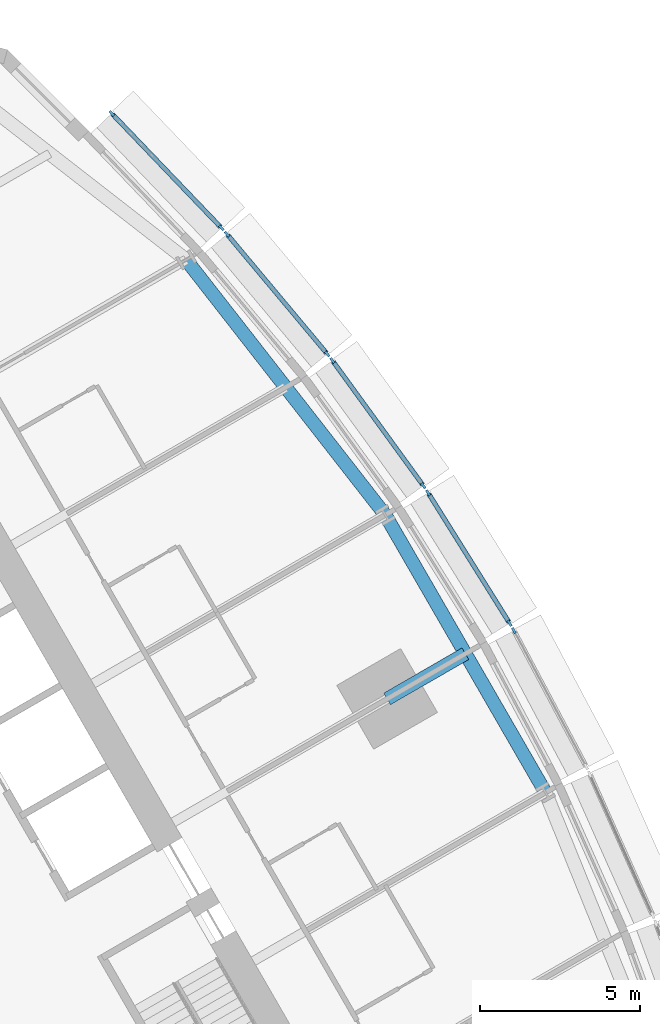
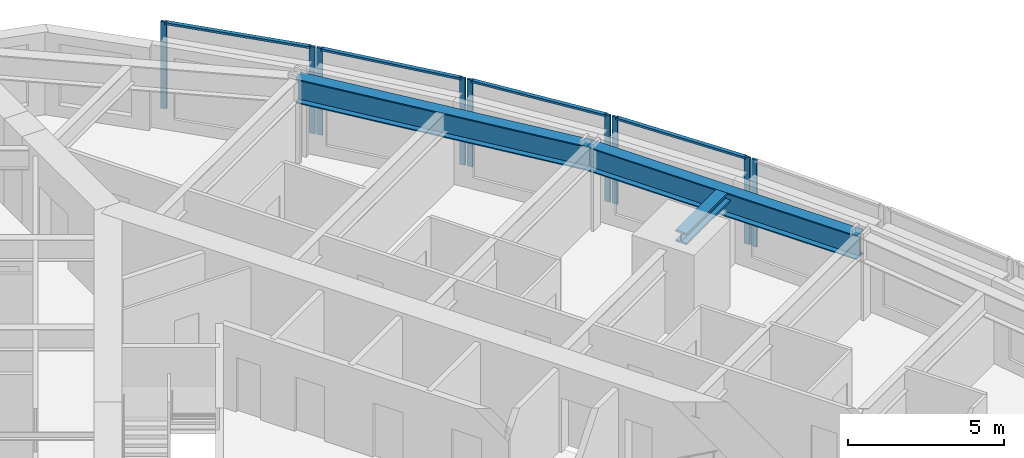
# One storey, part 5 of 14: 13 members, 3 beams, 5 elements without a shape of their own.
"""IFC4 building model written with IfcOpenShell, lengths in metres."""

from ifc_helpers import new_model, si_unit, direction, frame, origin, origin_2d, place, context, subcontext, project, spatial, rectangle, i_section, extrude, material, material_profile, profile_set, type_object, element, aggregate, save


model = new_model("IFC4")

# Units and contexts
model_context = context("Model", 3, precision=1e-05, world=origin(), true_north=direction((0.0, 1.0)))
body_context = subcontext(model_context, "Body", "Model", "MODEL_VIEW")
ifc_project = project(units=[si_unit("LENGTHUNIT", "METRE"), si_unit("AREAUNIT", "SQUARE_METRE"), si_unit("VOLUMEUNIT", "CUBIC_METRE"), si_unit("PLANEANGLEUNIT", "RADIAN"), si_unit("MASSUNIT", "GRAM", prefix="KILO")], contexts=[model_context])

# Site, building, storey
site_placement = place(None, origin())
site = spatial("IfcSite", under=ifc_project, at=site_placement, CompositionType="ELEMENT")
building_placement = place(site_placement, origin())
building = spatial("IfcBuilding", under=site, at=building_placement, Name="Trikona Tower", CompositionType="ELEMENT")
storey_placement = place(building_placement, frame((0.0, 0.0, 141.89990234375)))
storey = spatial("IfcBuildingStorey", under=building, at=storey_placement, Name="L37", CompositionType="ELEMENT", Elevation=141.89990234375)

# Curtain wall, member
ifc_material_1 = material(Name="Aluminium curtain wall system", Category="aluminium")
curtain_wall_type = type_object("IfcCurtainWallType", Name="Curtain wall DS2", PredefinedType="NOTDEFINED", material=ifc_material_1)
curtain_wall_1_placement = place(storey_placement, origin())
curtain_wall_1 = element("IfcCurtainWall", 1, at=curtain_wall_1_placement, inside=storey, type_object=curtain_wall_type, Name="Curtain wall DS2 L37", PredefinedType="NOTDEFINED")
ifc_material_2 = material(Name="Aluminium mullion, pale anodised", Category="aluminium")
ifc_material_profile_1 = material_profile(ifc_material_2, rectangle(XDim=0.080078125, YDim=0.199951171875, at=origin_2d()), Name="MUL-DS2")
ifc_profile_set_1 = profile_set([ifc_material_profile_1], Name="Aluminium mullion, pale anodised")
member_type_1 = type_object("IfcMemberType", Name="Mullion DS2 80x200", PredefinedType="MULLION", material=ifc_profile_set_1)
member_1_placement = place(storey_placement, frame((19.2666015625, 10.9716796875, 0.0), z_axis=(0.0, 0.0, 1.0), x_axis=(-0.882996107343, -0.469380308937, 0.0)))
member_1 = element("IfcMember", 2, at=member_1_placement, type_object=member_type_1, Name="CW-DS2 mullion 2", PredefinedType="MULLION", context=body_context, shape_type="SweptSolid", body=[
    extrude(rectangle(XDim=0.080078125, YDim=0.199951171875, at=origin_2d()), origin(), (0.0, 0.0, 1.0), 3.400146484375),
])
aggregate(curtain_wall_1, [member_1])

# Curtain wall, members
curtain_wall_2_placement = place(storey_placement, origin())
curtain_wall_2 = element("IfcCurtainWall", 3, at=curtain_wall_2_placement, inside=storey, type_object=curtain_wall_type, Name="Curtain wall DS2 L37", PredefinedType="NOTDEFINED")
member_2_placement = place(storey_placement, frame((19.135009765625, 11.199462890625, 0.0), z_axis=(0.0, 0.0, 1.0), x_axis=(-0.847998304006, -0.529998940002, 0.0)))
member_2 = element("IfcMember", 4, at=member_2_placement, type_object=member_type_1, Name="CW-DS2 mullion 1", PredefinedType="MULLION", context=body_context, shape_type="SweptSolid", body=[
    extrude(rectangle(XDim=0.080078125, YDim=0.199951171875, at=origin_2d()), origin(), (0.0, 0.0, 1.0), 3.400146484375),
])
member_3_placement = place(storey_placement, frame((16.589599609375, 15.2724609375, 0.0), z_axis=(0.0, 0.0, 1.0), x_axis=(-0.847998304006, -0.529998940002, 0.0)))
member_3 = element("IfcMember", 5, at=member_3_placement, type_object=member_type_1, Name="CW-DS2 mullion 2", PredefinedType="MULLION", context=body_context, shape_type="SweptSolid", body=[
    extrude(rectangle(XDim=0.080078125, YDim=0.199951171875, at=origin_2d()), origin(), (0.0, 0.0, 1.0), 3.400146484375),
])

curtain_wall_3_placement = place(storey_placement, origin())
curtain_wall_3 = element("IfcCurtainWall", 6, at=curtain_wall_3_placement, inside=storey, type_object=curtain_wall_type, Name="Curtain wall DS2 L37", PredefinedType="NOTDEFINED")
member_4_placement = place(storey_placement, frame((16.442626953125, 15.489990234375, 0.0), z_axis=(0.0, 0.0, 1.0), x_axis=(-0.80908576332, -0.587690588313, 0.0)))
member_4 = element("IfcMember", 7, at=member_4_placement, type_object=member_type_1, Name="CW-DS2 mullion 1", PredefinedType="MULLION", context=body_context, shape_type="SweptSolid", body=[
    extrude(rectangle(XDim=0.080078125, YDim=0.199951171875, at=origin_2d()), origin(), (0.0, 0.0, 1.0), 3.400146484375),
])
member_5_placement = place(storey_placement, frame((13.605712890625, 19.39599609375, 0.0), z_axis=(0.0, 0.0, 1.0), x_axis=(-0.80908576332, -0.587690588313, 0.0)))
member_5 = element("IfcMember", 8, at=member_5_placement, type_object=member_type_1, Name="CW-DS2 mullion 2", PredefinedType="MULLION", context=body_context, shape_type="SweptSolid", body=[
    extrude(rectangle(XDim=0.080078125, YDim=0.199951171875, at=origin_2d()), origin(), (0.0, 0.0, 1.0), 3.400146484375),
])

curtain_wall_4_placement = place(storey_placement, origin())
curtain_wall_4 = element("IfcCurtainWall", 9, at=curtain_wall_4_placement, inside=storey, type_object=curtain_wall_type, Name="Curtain wall DS2 L37", PredefinedType="NOTDEFINED")
member_6_placement = place(storey_placement, frame((13.44482421875, 19.602294921875, 0.0), z_axis=(0.0, 0.0, 1.0), x_axis=(-0.766866678271, -0.641806433248, 0.0)))
member_6 = element("IfcMember", 10, at=member_6_placement, type_object=member_type_1, Name="CW-DS2 mullion 1", PredefinedType="MULLION", context=body_context, shape_type="SweptSolid", body=[
    extrude(rectangle(XDim=0.080078125, YDim=0.199951171875, at=origin_2d()), origin(), (0.0, 0.0, 1.0), 3.400146484375),
])
member_7_placement = place(storey_placement, frame((10.315185546875, 23.34130859375, 0.0), z_axis=(0.0, 0.0, 1.0), x_axis=(-0.766866678271, -0.641806433248, 0.0)))
member_7 = element("IfcMember", 11, at=member_7_placement, type_object=member_type_1, Name="CW-DS2 mullion 2", PredefinedType="MULLION", context=body_context, shape_type="SweptSolid", body=[
    extrude(rectangle(XDim=0.080078125, YDim=0.199951171875, at=origin_2d()), origin(), (0.0, 0.0, 1.0), 3.400146484375),
])

curtain_wall_5_placement = place(storey_placement, origin())
curtain_wall_5 = element("IfcCurtainWall", 12, at=curtain_wall_5_placement, inside=storey, type_object=curtain_wall_type, Name="Curtain wall DS2 L37", PredefinedType="NOTDEFINED")
member_8_placement = place(storey_placement, frame((10.1416015625, 23.535400390625, 0.0), z_axis=(0.0, 0.0, 1.0), x_axis=(-0.722158330767, -0.691727797117, 0.0)))
member_8 = element("IfcMember", 13, at=member_8_placement, type_object=member_type_1, Name="CW-DS2 mullion 1", PredefinedType="MULLION", context=body_context, shape_type="SweptSolid", body=[
    extrude(rectangle(XDim=0.080078125, YDim=0.199951171875, at=origin_2d()), origin(), (0.0, 0.0, 1.0), 3.400146484375),
])
member_9_placement = place(storey_placement, frame((6.718994140625, 27.1083984375, 0.0), z_axis=(0.0, 0.0, 1.0), x_axis=(-0.722158330767, -0.691727797117, 0.0)))
member_9 = element("IfcMember", 14, at=member_9_placement, type_object=member_type_1, Name="CW-DS2 mullion 2", PredefinedType="MULLION", context=body_context, shape_type="SweptSolid", body=[
    extrude(rectangle(XDim=0.080078125, YDim=0.199951171875, at=origin_2d()), origin(), (0.0, 0.0, 1.0), 3.400146484375),
])

# Beams
ifc_material_3 = material(Name="Steel ASTM A992 Grade 50", Category="steel")
ifc_material_profile_2 = material_profile(ifc_material_3, i_section(OverallWidth=0.419189453125, OverallDepth=0.45458984375, WebThickness=0.042236328125, FlangeThickness=0.067626953125, at=origin_2d()), Name="W14X370")
ifc_profile_set_2 = profile_set([ifc_material_profile_2], Name="Steel ASTM A992 Grade 50")
beam_type_1 = type_object("IfcBeamType", Name="Steel beam W14x370 (apex bracket)", PredefinedType="BEAM", material=ifc_profile_set_2)
beam_1_placement = place(storey_placement, frame((15.311767578125, 8.84033203125, 3.0078125), z_axis=(0.86605005072, 0.499957307824, 0.0), x_axis=(-0.499957307824, 0.86605005072, 0.0)))
element("IfcBeam", 15, at=beam_1_placement, inside=storey, type_object=beam_type_1, Name="Cantilever bracket L38 F2", PredefinedType="BEAM", context=body_context, shape_type="SweptSolid", body=[
    extrude(i_section(OverallWidth=0.419189453125, OverallDepth=0.45458984375, WebThickness=0.042236328125, FlangeThickness=0.067626953125, at=origin_2d()), origin(), (0.0, 0.0, 1.0), 2.819580078125),
])
ifc_material_4 = material(Name="Steel ASTM A992 Grade 50", Category="steel")
ifc_material_profile_3 = material_profile(ifc_material_4, i_section(OverallWidth=0.424072265625, OverallDepth=0.947509765625, WebThickness=0.02392578125, FlangeThickness=0.042724609375, at=origin_2d()), Name="W36X302")
ifc_profile_set_3 = profile_set([ifc_material_profile_3], Name="Steel ASTM A992 Grade 50")
beam_type_2 = type_object("IfcBeamType", Name="Steel beam W36x302 (spandrel)", PredefinedType="SPANDREL", material=ifc_profile_set_3)
beam_2_placement = place(storey_placement, frame((20.253662109375, 5.919921875, 2.761474609375), z_axis=(-0.500004234368, 0.866022959057, 0.0), x_axis=(-0.866022959057, -0.500004234368, 0.0)))
element("IfcBeam", 16, at=beam_2_placement, inside=storey, type_object=beam_type_2, Name="Spandrel beam L38 F2-3", PredefinedType="SPANDREL", context=body_context, shape_type="SweptSolid", body=[
    extrude(i_section(OverallWidth=0.424072265625, OverallDepth=0.947509765625, WebThickness=0.02392578125, FlangeThickness=0.042724609375, at=origin_2d()), origin(), (0.0, 0.0, 1.0), 10.0),
])
beam_3_placement = place(storey_placement, frame((15.253662109375, 14.580078125, 2.761474609375), z_axis=(-0.615232009054, 0.788346101046, 0.0), x_axis=(-0.788346101046, -0.615232009054, 0.0)))
element("IfcBeam", 17, at=beam_3_placement, inside=storey, type_object=beam_type_2, Name="Spandrel beam L38 F2-4", PredefinedType="SPANDREL", context=body_context, shape_type="SweptSolid", body=[
    extrude(i_section(OverallWidth=0.424072265625, OverallDepth=0.947509765625, WebThickness=0.02392578125, FlangeThickness=0.042724609375, at=origin_2d()), origin(), (0.0, 0.0, 1.0), 10.09765625),
])

# Member
ifc_material_5 = material(Name="Aluminium transom, pale anodised", Category="aluminium")
ifc_material_profile_4 = material_profile(ifc_material_5, rectangle(XDim=0.139892578125, YDim=0.080078125, at=origin_2d()), Name="TRN-DS2")
ifc_profile_set_4 = profile_set([ifc_material_profile_4], Name="Aluminium transom, pale anodised")
member_type_2 = type_object("IfcMemberType", Name="Transom DS2 80x140", PredefinedType="USERDEFINED", material=ifc_profile_set_4)
member_10_placement = place(storey_placement, frame((19.114013671875, 11.2333984375, 3.360107421875), z_axis=(-0.530031463794, 0.847977975769, 0.0), x_axis=(-0.847977975769, -0.530031463794, 0.0)))
member_10 = element("IfcMember", 18, at=member_10_placement, type_object=member_type_2, Name="CW-DS2 transom 1.1", ObjectType="TRANSOM", PredefinedType="USERDEFINED", context=body_context, shape_type="SweptSolid", body=[
    extrude(rectangle(XDim=0.139892578125, YDim=0.080078125, at=origin_2d()), origin(), (0.0, 0.0, 1.0), 4.72314453125),
])

aggregate(curtain_wall_2, [member_2, member_3, member_10])

member_11_placement = place(storey_placement, frame((16.419189453125, 15.5224609375, 3.360107421875), z_axis=(-0.587694585883, 0.809082859616, 0.0), x_axis=(-0.809082859616, -0.587694585883, 0.0)))
member_11 = element("IfcMember", 19, at=member_11_placement, type_object=member_type_2, Name="CW-DS2 transom 1.1", ObjectType="TRANSOM", PredefinedType="USERDEFINED", context=body_context, shape_type="SweptSolid", body=[
    extrude(rectangle(XDim=0.139892578125, YDim=0.080078125, at=origin_2d()), origin(), (0.0, 0.0, 1.0), 4.747314453125),
])

aggregate(curtain_wall_3, [member_4, member_5, member_11])

member_12_placement = place(storey_placement, frame((13.4189453125, 19.6328125, 3.360107421875), z_axis=(-0.641770294892, 0.766896921753, 0.0), x_axis=(-0.766896921753, -0.641770294892, 0.0)))
member_12 = element("IfcMember", 20, at=member_12_placement, type_object=member_type_2, Name="CW-DS2 transom 1.1", ObjectType="TRANSOM", PredefinedType="USERDEFINED", context=body_context, shape_type="SweptSolid", body=[
    extrude(rectangle(XDim=0.139892578125, YDim=0.080078125, at=origin_2d()), origin(), (0.0, 0.0, 1.0), 4.7958984375),
])

aggregate(curtain_wall_4, [member_6, member_7, member_12])

member_13_placement = place(storey_placement, frame((10.114013671875, 23.564208984375, 3.360107421875), z_axis=(-0.691721246785, 0.722164605022, 0.0), x_axis=(-0.722164605022, -0.691721246785, 0.0)))
member_13 = element("IfcMember", 21, at=member_13_placement, type_object=member_type_2, Name="CW-DS2 transom 1.1", ObjectType="TRANSOM", PredefinedType="USERDEFINED", context=body_context, shape_type="SweptSolid", body=[
    extrude(rectangle(XDim=0.139892578125, YDim=0.080078125, at=origin_2d()), origin(), (0.0, 0.0, 1.0), 4.867919921875),
])

aggregate(curtain_wall_5, [member_8, member_9, member_13])

save(model, "model.ifc")
